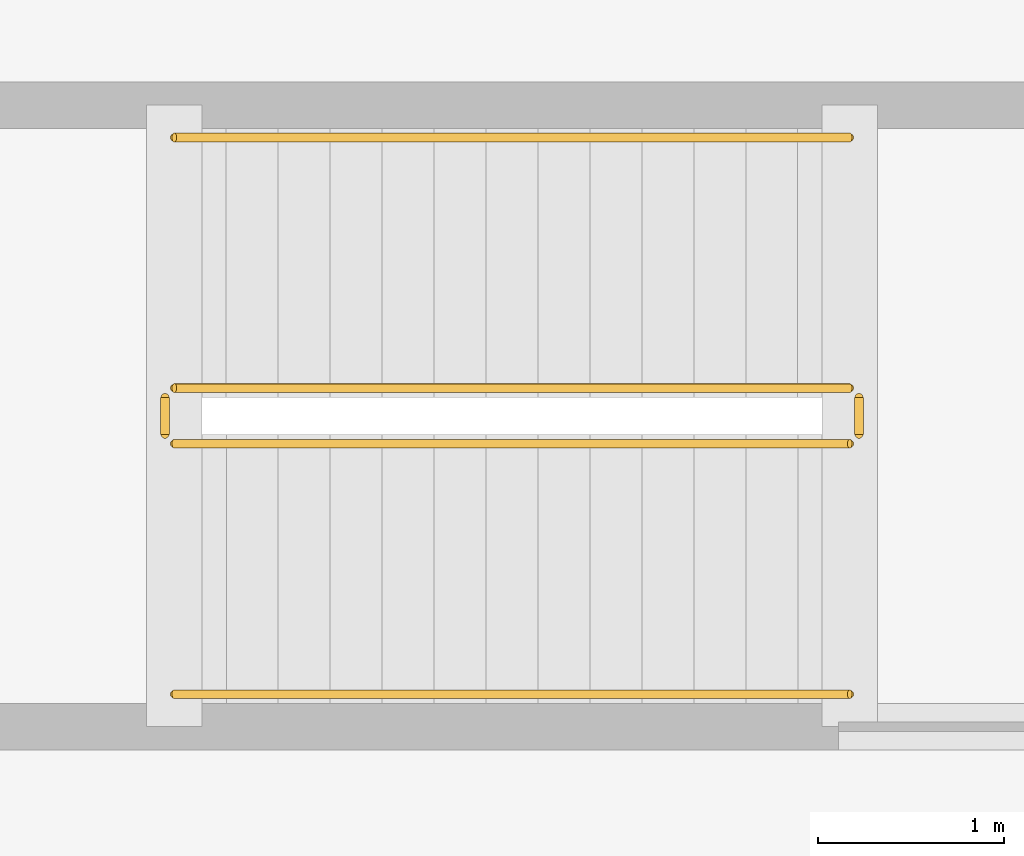
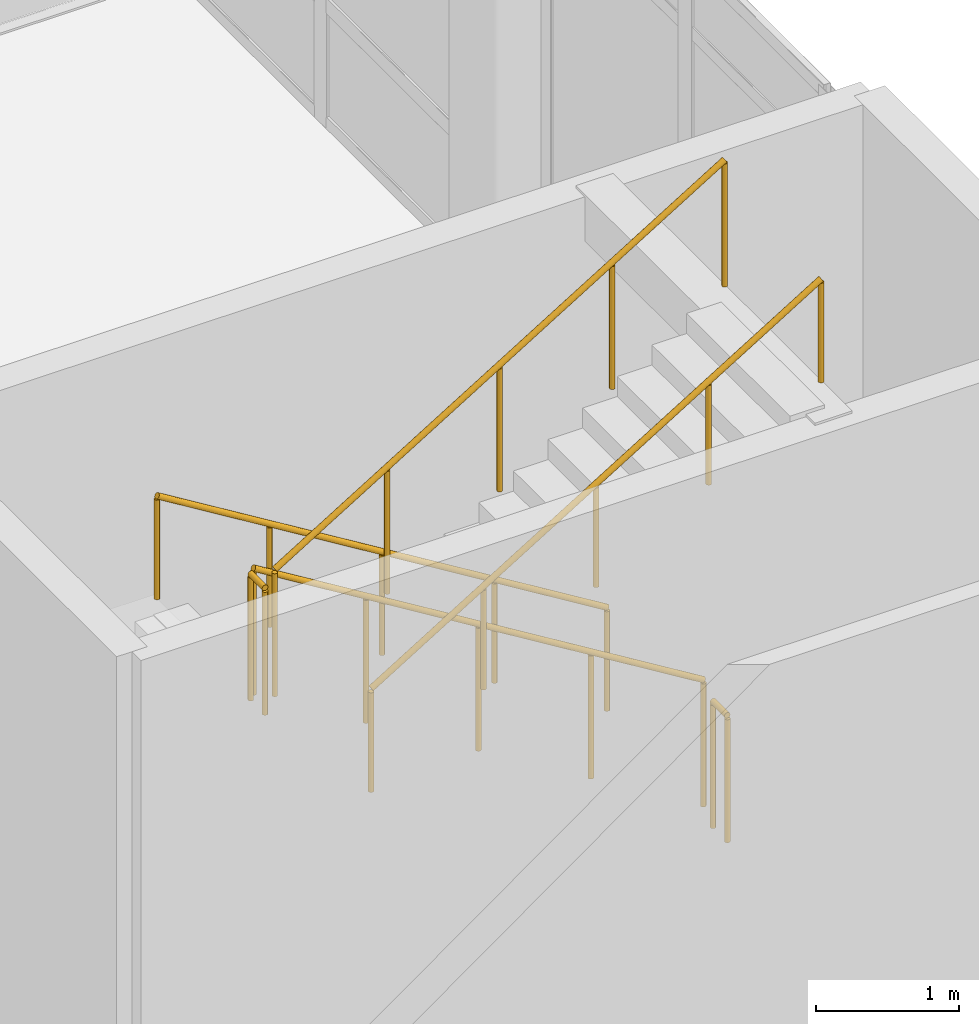
# One storey, part 61 of 61: 6 railings.
"""IFC4 building model written with IfcOpenShell, lengths in metres."""

from ifc_helpers import new_model, si_unit, direction, frame, origin, origin_2d, place, context, subcontext, project, spatial, circle, extrude, material, type_object, element, save


model = new_model("IFC4")

# Units and contexts
model_context = context("Model", 3, precision=1e-05, world=origin(), true_north=direction((0.0, 1.0)))
body_context = subcontext(model_context, "Body", "Model", "MODEL_VIEW")
ifc_project = project(units=[si_unit("LENGTHUNIT", "METRE"), si_unit("AREAUNIT", "SQUARE_METRE"), si_unit("VOLUMEUNIT", "CUBIC_METRE"), si_unit("PLANEANGLEUNIT", "RADIAN"), si_unit("MASSUNIT", "GRAM", prefix="KILO")], contexts=[model_context])

# Site, building, storey
site_placement = place(None, origin())
site = spatial("IfcSite", under=ifc_project, at=site_placement, CompositionType="ELEMENT")
building_placement = place(site_placement, origin())
building = spatial("IfcBuilding", under=site, at=building_placement, Name="Kazehara Bluff Congress Hotel", CompositionType="ELEMENT")
storey_placement = place(building_placement, frame((0.0, 0.0, 19.800048828125)))
storey = spatial("IfcBuildingStorey", under=building, at=storey_placement, Name="L04", CompositionType="ELEMENT", Elevation=19.800048828125)

# Railings
ifc_material_1 = material(Name="Brushed stainless steel", Category="steel")
railing_type_1 = type_object("IfcRailingType", Name="TP-GRD-INT", PredefinedType="GUARDRAIL", material=ifc_material_1)
railing_1_placement = place(storey_placement, frame((165.64990234375, 74.89990234375, 0.17138671875)))
element("IfcRailing", 1, at=railing_1_placement, inside=storey, type_object=railing_type_1, Name="L04 ST-12 stair guard 1", PredefinedType="GUARDRAIL", context=body_context, shape_type="SweptSolid", body=[
    extrude(circle(Radius=0.02392578125, at=origin_2d()), frame((0.0, 0.0, 1.076171875), z_axis=(-0.852850264322, 0.0, 0.5221555579), x_axis=(0.0, -1.0, 0.0)), (0.0, 0.0, 1.0), 4.267822265625),
    extrude(circle(Radius=0.02099609375, at=origin_2d()), origin(), (0.0, 0.0, 1.0), 1.052001953125),
    extrude(circle(Radius=0.02099609375, at=origin_2d()), frame((-0.909912109375, 0.0, 0.55712890625)), (0.0, 0.0, 1.0), 1.052001953125),
    extrude(circle(Radius=0.02099609375, at=origin_2d()), frame((-1.81982421875, 0.0, 1.1142578125)), (0.0, 0.0, 1.0), 1.052001953125),
    extrude(circle(Radius=0.02099609375, at=origin_2d()), frame((-2.72998046875, 0.0, 1.67138671875)), (0.0, 0.0, 1.0), 1.052001953125),
    extrude(circle(Radius=0.02099609375, at=origin_2d()), frame((-3.639892578125, 0.0, 2.228515625)), (0.0, 0.0, 1.0), 1.052001953125),
])
railing_2_placement = place(storey_placement, frame((161.9599609375, 74.85009765625, 2.39990234375)))
element("IfcRailing", 2, at=railing_2_placement, inside=storey, type_object=railing_type_1, Name="L04 ST-12 stair guard 2", PredefinedType="GUARDRAIL", context=body_context, shape_type="SweptSolid", body=[
    extrude(circle(Radius=0.02392578125, at=origin_2d()), frame((0.0, 0.0, 1.076171875), z_axis=(0.0, -1.0, 0.0), x_axis=(1.0, 0.0, 0.0)), (0.0, 0.0, 1.0), 0.2001953125),
    extrude(circle(Radius=0.02099609375, at=origin_2d()), origin(), (0.0, 0.0, 1.0), 1.052001953125),
    extrude(circle(Radius=0.02099609375, at=origin_2d()), frame((0.0, -0.2001953125, 0.0)), (0.0, 0.0, 1.0), 1.052001953125),
])
railing_3_placement = place(storey_placement, frame((162.010009765625, 74.60009765625, 2.5712890625)))
element("IfcRailing", 3, at=railing_3_placement, inside=storey, type_object=railing_type_1, Name="L04 ST-12 stair guard 3", PredefinedType="GUARDRAIL", context=body_context, shape_type="SweptSolid", body=[
    extrude(circle(Radius=0.02392578125, at=origin_2d()), frame((0.0, 0.0, 1.076171875), z_axis=(0.852824790078, 0.0, 0.522197163366), x_axis=(0.0, 1.0, 0.0)), (0.0, 0.0, 1.0), 4.26806640625),
    extrude(circle(Radius=0.02099609375, at=origin_2d()), origin(), (0.0, 0.0, 1.0), 1.052001953125),
    extrude(circle(Radius=0.02099609375, at=origin_2d()), frame((0.909912109375, 0.0, 0.55712890625)), (0.0, 0.0, 1.0), 1.052001953125),
    extrude(circle(Radius=0.02099609375, at=origin_2d()), frame((1.81982421875, 0.0, 1.1142578125)), (0.0, 0.0, 1.0), 1.052001953125),
    extrude(circle(Radius=0.02099609375, at=origin_2d()), frame((2.72998046875, 0.0, 1.671630859375)), (0.0, 0.0, 1.0), 1.052001953125),
    extrude(circle(Radius=0.02099609375, at=origin_2d()), frame((3.639892578125, 0.0, 2.228759765625)), (0.0, 0.0, 1.0), 1.052001953125),
])
railing_4_placement = place(storey_placement, frame((165.699951171875, 74.85009765625, 0.0)))
element("IfcRailing", 4, at=railing_4_placement, inside=storey, type_object=railing_type_1, Name="L04 ST-12 stair guard 4", PredefinedType="GUARDRAIL", context=body_context, shape_type="SweptSolid", body=[
    extrude(circle(Radius=0.02392578125, at=origin_2d()), frame((0.0, 0.0, 1.076171875), z_axis=(0.0, -1.0, 0.0), x_axis=(1.0, 0.0, 0.0)), (0.0, 0.0, 1.0), 0.2001953125),
    extrude(circle(Radius=0.02099609375, at=origin_2d()), origin(), (0.0, 0.0, 1.0), 1.052001953125),
    extrude(circle(Radius=0.02099609375, at=origin_2d()), frame((0.0, -0.2001953125, 0.0)), (0.0, 0.0, 1.0), 1.052001953125),
])
ifc_material_2 = material(Name="Brushed stainless steel", Category="steel")
railing_type_2 = type_object("IfcRailingType", Name="TP-HR-INT", PredefinedType="HANDRAIL", material=ifc_material_2)
railing_5_placement = place(storey_placement, frame((165.64990234375, 76.25, 0.17138671875)))
element("IfcRailing", 5, at=railing_5_placement, inside=storey, type_object=railing_type_2, Name="L04 ST-12 stair handrail 1", PredefinedType="HANDRAIL", context=body_context, shape_type="SweptSolid", body=[
    extrude(circle(Radius=0.02392578125, at=origin_2d()), frame((0.0, 0.0, 0.8759765625), z_axis=(-0.852850264322, 0.0, 0.5221555579), x_axis=(0.0, -1.0, 0.0)), (0.0, 0.0, 1.0), 4.267822265625),
    extrude(circle(Radius=0.02099609375, at=origin_2d()), origin(), (0.0, 0.0, 1.0), 0.851806640625),
    extrude(circle(Radius=0.02099609375, at=origin_2d()), frame((-0.909912109375, 0.0, 0.55712890625)), (0.0, 0.0, 1.0), 0.851806640625),
    extrude(circle(Radius=0.02099609375, at=origin_2d()), frame((-1.81982421875, 0.0, 1.1142578125)), (0.0, 0.0, 1.0), 0.851806640625),
    extrude(circle(Radius=0.02099609375, at=origin_2d()), frame((-2.72998046875, 0.0, 1.67138671875)), (0.0, 0.0, 1.0), 0.851806640625),
    extrude(circle(Radius=0.02099609375, at=origin_2d()), frame((-3.639892578125, 0.0, 2.228515625)), (0.0, 0.0, 1.0), 0.851806640625),
])
railing_6_placement = place(storey_placement, frame((162.010009765625, 73.25, 2.5712890625)))
element("IfcRailing", 6, at=railing_6_placement, inside=storey, type_object=railing_type_2, Name="L04 ST-12 stair handrail 2", PredefinedType="HANDRAIL", context=body_context, shape_type="SweptSolid", body=[
    extrude(circle(Radius=0.02392578125, at=origin_2d()), frame((0.0, 0.0, 0.8759765625), z_axis=(0.852824790078, 0.0, 0.522197163366), x_axis=(0.0, 1.0, 0.0)), (0.0, 0.0, 1.0), 4.26806640625),
    extrude(circle(Radius=0.02099609375, at=origin_2d()), origin(), (0.0, 0.0, 1.0), 0.851806640625),
    extrude(circle(Radius=0.02099609375, at=origin_2d()), frame((0.909912109375, 0.0, 0.55712890625)), (0.0, 0.0, 1.0), 0.851806640625),
    extrude(circle(Radius=0.02099609375, at=origin_2d()), frame((1.81982421875, 0.0, 1.1142578125)), (0.0, 0.0, 1.0), 0.851806640625),
    extrude(circle(Radius=0.02099609375, at=origin_2d()), frame((2.72998046875, 0.0, 1.671630859375)), (0.0, 0.0, 1.0), 0.851806640625),
    extrude(circle(Radius=0.02099609375, at=origin_2d()), frame((3.639892578125, 0.0, 2.228759765625)), (0.0, 0.0, 1.0), 0.851806640625),
])

save(model, "model.ifc")
